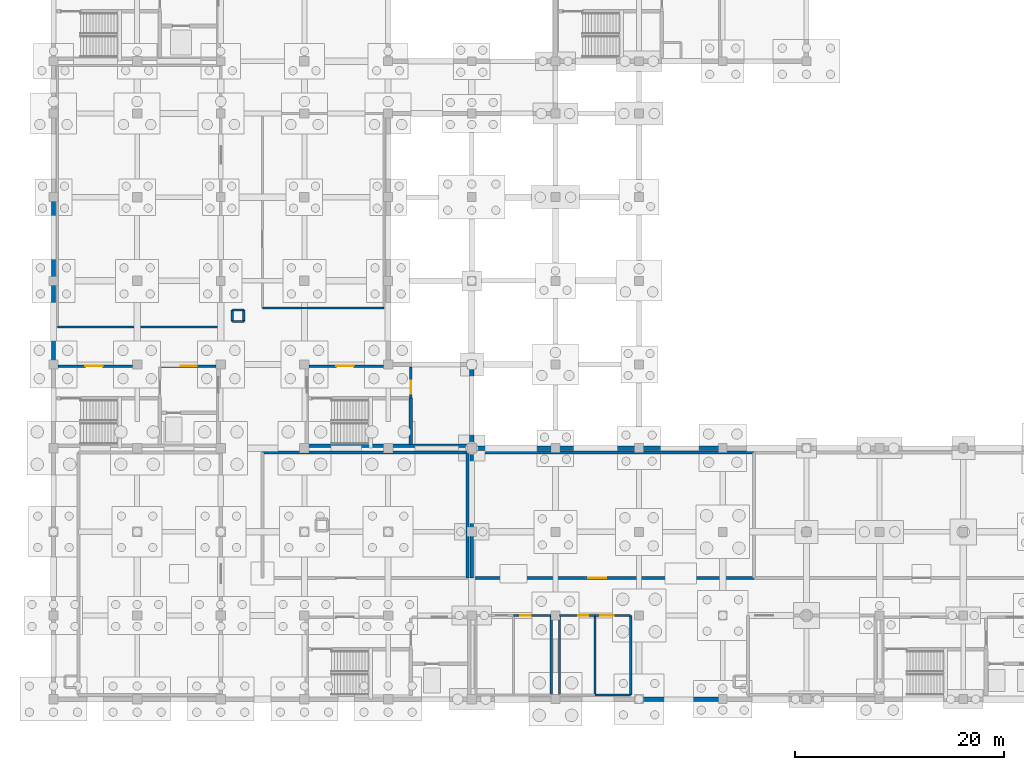
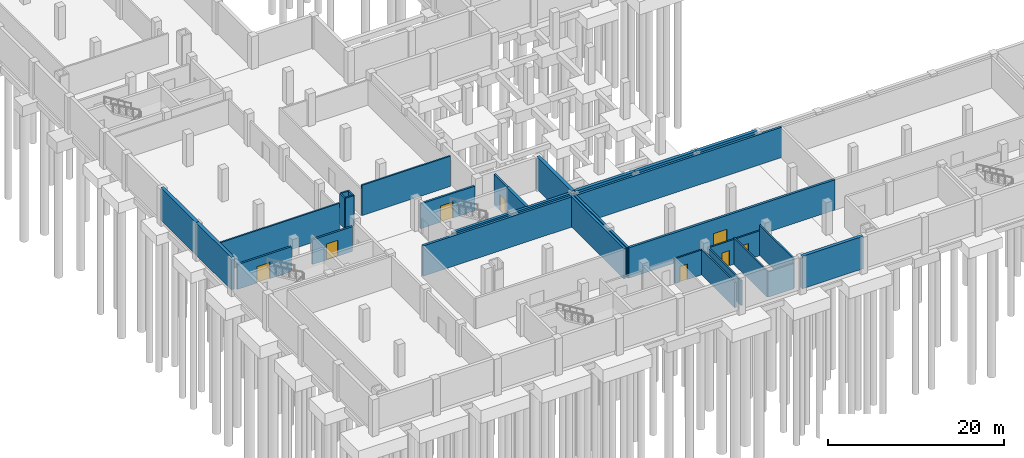
# One storey, part 13 of 26: 32 walls, 8 doors, 8 openings.
"""IFC4 building model written with IfcOpenShell, lengths in metres."""

from ifc_helpers import new_model, si_unit, direction, frame, frame_2d, origin, place, context, subcontext, project, spatial, rectangle, extrude, material, layer, layer_set, type_object, element, fill, save


model = new_model("IFC4")

# Units and contexts
model_context = context("Model", 3, precision=1e-05, world=origin(), true_north=direction((0.0, 1.0)))
body_context = subcontext(model_context, "Body", "Model", "MODEL_VIEW")
ifc_project = project(units=[si_unit("LENGTHUNIT", "METRE"), si_unit("AREAUNIT", "SQUARE_METRE"), si_unit("VOLUMEUNIT", "CUBIC_METRE"), si_unit("PLANEANGLEUNIT", "RADIAN"), si_unit("MASSUNIT", "GRAM", prefix="KILO")], contexts=[model_context])

# Site, building, storey
site_placement = place(None, origin())
site = spatial("IfcSite", under=ifc_project, at=site_placement, CompositionType="ELEMENT")
building_placement = place(site_placement, origin())
building = spatial("IfcBuilding", under=site, at=building_placement, Name="Qorikala Patio Media Centre", CompositionType="ELEMENT")
storey_placement = place(building_placement, frame((0.0, 0.0, -4.5)))
storey = spatial("IfcBuildingStorey", under=building, at=storey_placement, Name="B1", CompositionType="ELEMENT", Elevation=-4.5)

# Walls
ifc_material_1 = material(Name="Concrete C35/45", Category="concrete")
ifc_layer_1 = layer(ifc_material_1, 0.300048828125)
ifc_layer_set_1 = layer_set([ifc_layer_1], Name="Concrete C35/45")
wall_type_1 = type_object("IfcWallType", Name="WL-AC-300", PredefinedType="SHEAR", material=ifc_layer_set_1)
wall_1_placement = place(storey_placement, frame((42.60009765625, 14.60009765625, 0.0), z_axis=(0.0, 0.0, 1.0), x_axis=(0.0, 1.0, 0.0)))
element("IfcWall", 1, at=wall_1_placement, inside=storey, type_object=wall_type_1, Name="B1 Interior Wall WINT-B1-VLT2-E", PredefinedType="SHEAR", context=body_context, shape_type="SweptSolid", body=[
    extrude(rectangle(XDim=12.0, YDim=0.300048828125, at=frame_2d((6.0, 0.0))), origin(), (0.0, 0.0, 1.0), 4.199951171875),
])
wall_2_placement = place(storey_placement, frame((23.0, 26.60009765625, 0.0), z_axis=(0.0, 0.0, 1.0), x_axis=(1.0, 0.0, 0.0)))
element("IfcWall", 2, at=wall_2_placement, inside=storey, type_object=wall_type_1, Name="B1 Interior Wall WINT-B1-VLT2-N", PredefinedType="SHEAR", context=body_context, shape_type="SweptSolid", body=[
    extrude(rectangle(XDim=19.60009765625, YDim=0.300048828125, at=frame_2d((9.800048828125, 0.0))), origin(), (0.0, 0.0, 1.0), 4.199951171875),
])

# Wall, opening, door
wall_3_placement = place(storey_placement, frame((43.0, 14.60009765625, 0.0), z_axis=(0.0, 0.0, 1.0), x_axis=(1.0, 0.0, 0.0)))
wall_3 = element("IfcWall", 3, at=wall_3_placement, inside=storey, type_object=wall_type_1, Name="B1 Interior Wall WINT-B1-VLT3-S", PredefinedType="SHEAR", context=body_context, shape_type="SweptSolid", body=[
    extrude(rectangle(XDim=27.0, YDim=0.300048828125, at=frame_2d((13.5, 0.0))), origin(), (0.0, 0.0, 1.0), 4.199951171875),
])
opening_1_placement = place(wall_3_placement, frame((11.1220703125, 0.0, 0.0)))
opening_1 = element("IfcOpeningElement", 4, at=opening_1_placement, cuts=wall_3, Name="Opening D214", PredefinedType="OPENING", context=body_context, shape_type="SweptSolid", body=[
    extrude(rectangle(XDim=1.75, YDim=2.280029296875, at=frame_2d((0.875, 1.14013671875))), frame((0.0, 0.159912109375, 0.0), z_axis=(0.0, -1.0, 0.0), x_axis=(1.0, 0.0, 0.0)), (0.0, 0.0, 1.0), 0.320068359375),
])
ifc_material_2 = material(Name="Powder-Coated Acoustic Fire Steel", Category="steel")
door_type_1 = type_object("IfcDoorType", Name="DR-FD60-175X228", OperationType="DOUBLE_DOOR_SINGLE_SWING", PredefinedType="DOOR", material=ifc_material_2)
door_1_placement = place(opening_1_placement, origin())
door_1 = element("IfcDoor", 5, at=door_1_placement, inside=storey, type_object=door_type_1, Name="Foley Sound Archive Vault Door 003", OperationType="DOUBLE_DOOR_SINGLE_SWING", OverallHeight=2.280029296875, OverallWidth=1.75, PredefinedType="DOOR", context=body_context, shape_type="SweptSolid", body=[
    extrude(rectangle(XDim=1.75, YDim=2.280029296875, at=frame_2d((0.875, 1.14013671875))), frame((0.0, 0.02490234375, 0.0), z_axis=(0.0, -1.0, 0.0), x_axis=(1.0, 0.0, 0.0)), (0.0, 0.0, 1.0), 0.050048828125),
])
fill(opening_1, door_1)

# Walls
wall_4_placement = place(storey_placement, frame((43.0, 26.60009765625, 0.0), z_axis=(0.0, 0.0, 1.0), x_axis=(1.0, 0.0, 0.0)))
element("IfcWall", 6, at=wall_4_placement, inside=storey, type_object=wall_type_1, Name="B1 Interior Wall WINT-B1-VLT3-N", PredefinedType="SHEAR", context=body_context, shape_type="SweptSolid", body=[
    extrude(rectangle(XDim=27.0, YDim=0.300048828125, at=frame_2d((13.5, 0.0))), origin(), (0.0, 0.0, 1.0), 4.199951171875),
])
wall_5_placement = place(storey_placement, frame((43.0, 14.60009765625, 0.0), z_axis=(0.0, 0.0, 1.0), x_axis=(0.0, 1.0, 0.0)))
element("IfcWall", 7, at=wall_5_placement, inside=storey, type_object=wall_type_1, Name="B1 Interior Wall WINT-B1-VLT3-W", PredefinedType="SHEAR", context=body_context, shape_type="SweptSolid", body=[
    extrude(rectangle(XDim=12.0, YDim=0.300048828125, at=frame_2d((6.0, 0.0))), origin(), (0.0, 0.0, 1.0), 4.199951171875),
])
ifc_layer_2 = layer(ifc_material_1, 0.35009765625)
ifc_layer_set_2 = layer_set([ifc_layer_2], Name="Concrete C35/45")
wall_type_2 = type_object("IfcWallType", Name="WL-CORE-350", PredefinedType="SHEAR", material=ifc_layer_set_2)
wall_6_placement = place(storey_placement, frame((27.199951171875, 27.22509765625, 0.0), z_axis=(0.0, 0.0, 1.0), x_axis=(1.0, 0.0, 0.0)))
element("IfcWall", 8, at=wall_6_placement, inside=storey, type_object=wall_type_2, Name="B1 Core C5 Stair South Wall", PredefinedType="SHEAR", context=body_context, shape_type="SweptSolid", body=[
    extrude(rectangle(XDim=15.60009765625, YDim=0.35009765625, at=frame_2d((7.800048828125, 0.0))), origin(), (0.0, 0.0, 1.0), 4.199951171875),
])
wall_7_placement = place(storey_placement, frame((37.175048828125, 27.35009765625, 0.0), z_axis=(0.0, 0.0, 1.0), x_axis=(0.0, 1.0, 0.0)))
element("IfcWall", 9, at=wall_7_placement, inside=storey, type_object=wall_type_2, Name="B1 Interior Wall CW-B1-C5-SE", PredefinedType="SHEAR", context=body_context, shape_type="SweptSolid", body=[
    extrude(rectangle(XDim=4.4248046875, YDim=0.35009765625, at=frame_2d((2.21240234375, 0.0))), origin(), (0.0, 0.0, 1.0), 4.199951171875),
])

# Wall, opening, door
ifc_layer_3 = layer(ifc_material_1, 0.25)
ifc_layer_set_3 = layer_set([ifc_layer_3], Name="Concrete C35/45")
wall_type_3 = type_object("IfcWallType", Name="WL-FFL-250", PredefinedType="PARTITIONING", material=ifc_layer_set_3)
wall_8_placement = place(storey_placement, frame((3.449951171875, 34.85009765625, 0.0), z_axis=(0.0, 0.0, 1.0), x_axis=(1.0, 0.0, 0.0)))
wall_8 = element("IfcWall", 10, at=wall_8_placement, inside=storey, type_object=wall_type_3, Name="B1 Interior Wall CW-B1-C2-CN1", PredefinedType="PARTITIONING", context=body_context, shape_type="SweptSolid", body=[
    extrude(rectangle(XDim=7.10009765625, YDim=0.25, at=frame_2d((3.550048828125, 0.0))), origin(), (0.0, 0.0, 1.0), 3.43505859375),
])
opening_2_placement = place(wall_8_placement, frame((2.60009765625, 0.0, 0.0)))
opening_2 = element("IfcOpeningElement", 11, at=opening_2_placement, cuts=wall_8, Name="Opening D057", PredefinedType="OPENING", context=body_context, shape_type="SweptSolid", body=[
    extrude(rectangle(XDim=1.64990234375, YDim=2.25, at=frame_2d((0.824951171875, 1.125))), frame((0.0, 0.135009765625, 0.0), z_axis=(0.0, -1.0, 0.0), x_axis=(1.0, 0.0, 0.0)), (0.0, 0.0, 1.0), 0.27001953125),
])
door_type_2 = type_object("IfcDoorType", Name="DR-FD60-165X225", OperationType="DOUBLE_DOOR_SINGLE_SWING", PredefinedType="DOOR", material=ifc_material_2)
door_2_placement = place(opening_2_placement, frame((1.64990234375, 0.0, 0.0), z_axis=(0.0, 0.0, 1.0), x_axis=(-1.0, 0.0, 0.0)))
door_2 = element("IfcDoor", 12, at=door_2_placement, inside=storey, type_object=door_type_2, Name="B1 Core C2 Vestibule Door", OperationType="DOUBLE_DOOR_SINGLE_SWING", OverallHeight=2.25, OverallWidth=1.64990234375, PredefinedType="DOOR", context=body_context, shape_type="SweptSolid", body=[
    extrude(rectangle(XDim=1.64990234375, YDim=2.25, at=frame_2d((0.824951171875, 1.125))), frame((0.0, 0.02490234375, 0.0), z_axis=(0.0, -1.0, 0.0), x_axis=(1.0, 0.0, 0.0)), (0.0, 0.0, 1.0), 0.050048828125),
])
fill(opening_2, door_2)

wall_9_placement = place(storey_placement, frame((13.300048828125, 34.85009765625, 0.0), z_axis=(0.0, 0.0, 1.0), x_axis=(1.0, 0.0, 0.0)))
wall_9 = element("IfcWall", 13, at=wall_9_placement, inside=storey, type_object=wall_type_3, Name="B1 Interior Wall CW-B1-C2-CN2", PredefinedType="PARTITIONING", context=body_context, shape_type="SweptSolid", body=[
    extrude(rectangle(XDim=5.25, YDim=0.25, at=frame_2d((2.625, 0.0))), origin(), (0.0, 0.0, 1.0), 3.43505859375),
])
opening_3_placement = place(wall_9_placement, frame((1.85009765625, 0.0, 0.0)))
opening_3 = element("IfcOpeningElement", 14, at=opening_3_placement, cuts=wall_9, Name="Opening D058", PredefinedType="OPENING", context=body_context, shape_type="SweptSolid", body=[
    extrude(rectangle(XDim=1.5, YDim=2.199951171875, at=frame_2d((0.75, 1.10009765625))), frame((0.0, 0.135009765625, 0.0), z_axis=(0.0, -1.0, 0.0), x_axis=(1.0, 0.0, 0.0)), (0.0, 0.0, 1.0), 0.27001953125),
])
door_type_3 = type_object("IfcDoorType", Name="DR-FD60-150X220", OperationType="DOUBLE_DOOR_SINGLE_SWING", PredefinedType="DOOR", material=ifc_material_2)
door_3_placement = place(opening_3_placement, origin())
door_3 = element("IfcDoor", 15, at=door_3_placement, inside=storey, type_object=door_type_3, Name="B1 Core C2 Firefighting Lobby Door", OperationType="DOUBLE_DOOR_SINGLE_SWING", OverallHeight=2.199951171875, OverallWidth=1.5, PredefinedType="DOOR", context=body_context, shape_type="SweptSolid", body=[
    extrude(rectangle(XDim=1.5, YDim=2.199951171875, at=frame_2d((0.75, 1.10009765625))), frame((0.0, 0.02490234375, 0.0), z_axis=(0.0, -1.0, 0.0), x_axis=(1.0, 0.0, 0.0)), (0.0, 0.0, 1.0), 0.050048828125),
])
fill(opening_3, door_3)

wall_10_placement = place(storey_placement, frame((37.175048828125, 31.77490234375, 0.0), z_axis=(0.0, 0.0, 1.0), x_axis=(0.0, 1.0, 0.0)))
wall_10 = element("IfcWall", 16, at=wall_10_placement, inside=storey, type_object=wall_type_3, Name="B1 Interior Wall CW-B1-C5-LBD", PredefinedType="PARTITIONING", context=body_context, shape_type="SweptSolid", body=[
    extrude(rectangle(XDim=2.97509765625, YDim=0.25, at=frame_2d((1.487548828125, 0.0))), origin(), (0.0, 0.0, 1.0), 4.199951171875),
])
opening_4_placement = place(wall_10_placement, frame((0.449951171875, 0.0, 0.0)))
opening_4 = element("IfcOpeningElement", 17, at=opening_4_placement, cuts=wall_10, Name="Opening D144", PredefinedType="OPENING", context=body_context, shape_type="SweptSolid", body=[
    extrude(rectangle(XDim=1.199951171875, YDim=2.199951171875, at=frame_2d((0.60009765625, 1.10009765625))), frame((0.0, 0.135009765625, 0.0), z_axis=(0.0, -1.0, 0.0), x_axis=(1.0, 0.0, 0.0)), (0.0, 0.0, 1.0), 0.27001953125),
])
ifc_material_3 = material(Name="Acoustic Fire Timber and Steel", Category="steel")
door_type_4 = type_object("IfcDoorType", Name="DR-FD60-120X220", OperationType="NOTDEFINED", PredefinedType="DOOR", material=ifc_material_3)
door_4_placement = place(opening_4_placement, origin())
door_4 = element("IfcDoor", 18, at=door_4_placement, inside=storey, type_object=door_type_4, Name="B1 Core C5 Firefighting Lobby Cross Door", OperationType="SINGLE_SWING_LEFT", OverallHeight=2.199951171875, OverallWidth=1.199951171875, PredefinedType="DOOR", context=body_context, shape_type="SweptSolid", body=[
    extrude(rectangle(XDim=1.199951171875, YDim=2.199951171875, at=frame_2d((0.60009765625, 1.10009765625))), frame((0.0, 0.02490234375, 0.0), z_axis=(0.0, -1.0, 0.0), x_axis=(1.0, 0.0, 0.0)), (0.0, 0.0, 1.0), 0.050048828125),
])
fill(opening_4, door_4)

wall_11_placement = place(storey_placement, frame((27.449951171875, 34.85009765625, 0.0), z_axis=(0.0, 0.0, 1.0), x_axis=(1.0, 0.0, 0.0)))
wall_11 = element("IfcWall", 19, at=wall_11_placement, inside=storey, type_object=wall_type_3, Name="B1 Interior Wall CW-B1-C5-CN1", PredefinedType="PARTITIONING", context=body_context, shape_type="SweptSolid", body=[
    extrude(rectangle(XDim=7.10009765625, YDim=0.25, at=frame_2d((3.550048828125, 0.0))), origin(), (0.0, 0.0, 1.0), 3.43505859375),
])
opening_5_placement = place(wall_11_placement, frame((2.60009765625, 0.0, 0.0)))
opening_5 = element("IfcOpeningElement", 20, at=opening_5_placement, cuts=wall_11, Name="Opening D145", PredefinedType="OPENING", context=body_context, shape_type="SweptSolid", body=[
    extrude(rectangle(XDim=1.64990234375, YDim=2.25, at=frame_2d((0.824951171875, 1.125))), frame((0.0, 0.135009765625, 0.0), z_axis=(0.0, -1.0, 0.0), x_axis=(1.0, 0.0, 0.0)), (0.0, 0.0, 1.0), 0.27001953125),
])
door_5_placement = place(opening_5_placement, frame((1.64990234375, 0.0, 0.0), z_axis=(0.0, 0.0, 1.0), x_axis=(-1.0, 0.0, 0.0)))
door_5 = element("IfcDoor", 21, at=door_5_placement, inside=storey, type_object=door_type_2, Name="B1 Core C5 Vestibule Door", OperationType="DOUBLE_DOOR_SINGLE_SWING", OverallHeight=2.25, OverallWidth=1.64990234375, PredefinedType="DOOR", context=body_context, shape_type="SweptSolid", body=[
    extrude(rectangle(XDim=1.64990234375, YDim=2.25, at=frame_2d((0.824951171875, 1.125))), frame((0.0, 0.02490234375, 0.0), z_axis=(0.0, -1.0, 0.0), x_axis=(1.0, 0.0, 0.0)), (0.0, 0.0, 1.0), 0.050048828125),
])
fill(opening_5, door_5)

# Walls
ifc_material_4 = material(Name="Concrete C30/37", Category="concrete")
ifc_layer_4 = layer(ifc_material_4, 0.419921875)
ifc_layer_set_4 = layer_set([ifc_layer_4], Name="Concrete C30/37")
wall_type_4 = type_object("IfcWallType", Name="WL-RET-420", PredefinedType="USERDEFINED", material=ifc_layer_set_4)
for number, where, z_axis, x_axis, name in (
    (22, (67.0, 3.0, 0.0), (0.0, 0.0, 1.0), (-1.0, 0.0, 0.0), "B1 Perimeter Retaining Wall WL-B1-RET-028"),
    (23, (3.0, 35.0, 0.0), (0.0, 0.0, 1.0), (0.0, 1.0, 0.0), "B1 Perimeter Retaining Wall WL-B1-RET-040"),
    (24, (3.0, 43.0, 0.0), (0.0, 0.0, 1.0), (0.0, 1.0, 0.0), "B1 Perimeter Retaining Wall WL-B1-RET-041"),
    (25, (43.0, 35.0, 0.0), (0.0, 0.0, 1.0), (0.0, -1.0, 0.0), "B1 Perimeter Retaining Wall WL-B1-RET-071"),
    (26, (43.0, 27.0, 0.0), (0.0, 0.0, 1.0), (1.0, 0.0, 0.0), "B1 Perimeter Retaining Wall WL-B1-RET-072"),
    (27, (51.0, 27.0, 0.0), (0.0, 0.0, 1.0), (1.0, 0.0, 0.0), "B1 Perimeter Retaining Wall WL-B1-RET-073"),
    (28, (59.0, 27.0, 0.0), (0.0, 0.0, 1.0), (1.0, 0.0, 0.0), "B1 Perimeter Retaining Wall WL-B1-RET-074"),
):
    element("IfcWall", number, at=place(storey_placement, frame(where, z_axis=z_axis, x_axis=x_axis)), inside=storey, type_object=wall_type_4, Name=name, ObjectType="RETAINING WALL", PredefinedType="USERDEFINED", context=body_context, shape_type="SweptSolid", body=[
        extrude(rectangle(XDim=8.0, YDim=0.419921875, at=frame_2d((4.0, 0.0))), origin(), (0.0, 0.0, 1.0), 4.5),
    ])
ifc_material_5 = material(Name="Acoustic Masonry and Plaster Concrete C30/37", Category="masonry")
ifc_layer_5 = layer(ifc_material_5, 0.199951171875)
ifc_layer_set_5 = layer_set([ifc_layer_5], Name="Acoustic Masonry and Plaster Concrete C30/37")
wall_type_5 = type_object("IfcWallType", Name="WL-ST-200", PredefinedType="PARTITIONING", material=ifc_layer_set_5)
wall_12_placement = place(storey_placement, frame((50.60009765625, 3.39990234375, 0.0), z_axis=(0.0, 0.0, 1.0), x_axis=(0.0, 1.0, 0.0)))
element("IfcWall", 29, at=wall_12_placement, inside=storey, type_object=wall_type_5, Name="B1 Interior Wall WINT-B1-B1WFWC-E", PredefinedType="PARTITIONING", context=body_context, shape_type="SweptSolid", body=[
    extrude(rectangle(XDim=7.60009765625, YDim=0.199951171875, at=frame_2d((3.800048828125, 0.0))), origin(), (0.0, 0.0, 1.0), 3.485107421875),
])

# Wall, opening, door
wall_13_placement = place(storey_placement, frame((47.0, 11.0, 0.0), z_axis=(0.0, 0.0, 1.0), x_axis=(1.0, 0.0, 0.0)))
wall_13 = element("IfcWall", 30, at=wall_13_placement, inside=storey, type_object=wall_type_5, Name="B1 Interior Wall WINT-B1-B1WFWC-N", PredefinedType="PARTITIONING", context=body_context, shape_type="SweptSolid", body=[
    extrude(rectangle(XDim=3.60009765625, YDim=0.199951171875, at=frame_2d((1.800048828125, 0.0))), origin(), (0.0, 0.0, 1.0), 3.43505859375),
])
opening_6_placement = place(wall_13_placement, frame((0.64990234375, 0.0, 0.0)))
opening_6 = element("IfcOpeningElement", 31, at=opening_6_placement, cuts=wall_13, Name="Opening D217", PredefinedType="OPENING", context=body_context, shape_type="SweptSolid", body=[
    extrude(rectangle(XDim=1.0, YDim=2.14990234375, at=frame_2d((0.5, 1.074951171875))), frame((0.0, 0.10986328125, 0.0), z_axis=(0.0, -1.0, 0.0), x_axis=(1.0, 0.0, 0.0)), (0.0, 0.0, 1.0), 0.219970703125),
])
door_type_5 = type_object("IfcDoorType", Name="DR-FD60-100X215", OperationType="NOTDEFINED", PredefinedType="DOOR", material=ifc_material_3)
door_6_placement = place(opening_6_placement, origin())
door_6 = element("IfcDoor", 32, at=door_6_placement, inside=storey, type_object=door_type_5, Name="Female Toilet Door 006", OperationType="SINGLE_SWING_LEFT", OverallHeight=2.14990234375, OverallWidth=1.0, PredefinedType="DOOR", context=body_context, shape_type="SweptSolid", body=[
    extrude(rectangle(XDim=1.0, YDim=2.14990234375, at=frame_2d((0.5, 1.074951171875))), frame((0.0, 0.02490234375, 0.0), z_axis=(0.0, -1.0, 0.0), x_axis=(1.0, 0.0, 0.0)), (0.0, 0.0, 1.0), 0.050048828125),
])
fill(opening_6, door_6)

# Wall
wall_14_placement = place(storey_placement, frame((54.800048828125, 3.39990234375, 0.0), z_axis=(0.0, 0.0, 1.0), x_axis=(0.0, 1.0, 0.0)))
element("IfcWall", 33, at=wall_14_placement, inside=storey, type_object=wall_type_5, Name="B1 Interior Wall WINT-B1-B1WAWC-E", PredefinedType="PARTITIONING", context=body_context, shape_type="SweptSolid", body=[
    extrude(rectangle(XDim=7.60009765625, YDim=0.199951171875, at=frame_2d((3.800048828125, 0.0))), origin(), (0.0, 0.0, 1.0), 3.635009765625),
])

# Wall, opening, door
wall_15_placement = place(storey_placement, frame((51.39990234375, 11.0, 0.0), z_axis=(0.0, 0.0, 1.0), x_axis=(1.0, 0.0, 0.0)))
wall_15 = element("IfcWall", 34, at=wall_15_placement, inside=storey, type_object=wall_type_5, Name="B1 Interior Wall WINT-B1-B1WAWC-N", PredefinedType="PARTITIONING", context=body_context, shape_type="SweptSolid", body=[
    extrude(rectangle(XDim=3.400146484375, YDim=0.199951171875, at=frame_2d((1.7001953125, 0.0))), origin(), (0.0, 0.0, 1.0), 3.43505859375),
])
opening_7_placement = place(wall_15_placement, frame((1.77490234375, 0.0, 0.0)))
opening_7 = element("IfcOpeningElement", 35, at=opening_7_placement, cuts=wall_15, Name="Opening D218", PredefinedType="OPENING", context=body_context, shape_type="SweptSolid", body=[
    extrude(rectangle(XDim=0.949951171875, YDim=2.10009765625, at=frame_2d((0.47509765625, 1.050048828125))), frame((0.0, 0.10986328125, 0.0), z_axis=(0.0, -1.0, 0.0), x_axis=(1.0, 0.0, 0.0)), (0.0, 0.0, 1.0), 0.219970703125),
])
ifc_material_6 = material(Name="Acoustic Fire Timber", Category="wood")
door_type_6 = type_object("IfcDoorType", Name="DR-FD60-095X210", OperationType="NOTDEFINED", PredefinedType="DOOR", material=ifc_material_6)
door_7_placement = place(opening_7_placement, origin())
door_7 = element("IfcDoor", 36, at=door_7_placement, inside=storey, type_object=door_type_6, Name="Accessible Toilet Door 007", OperationType="SINGLE_SWING_RIGHT", OverallHeight=2.10009765625, OverallWidth=0.949951171875, PredefinedType="DOOR", context=body_context, shape_type="SweptSolid", body=[
    extrude(rectangle(XDim=0.949951171875, YDim=2.10009765625, at=frame_2d((0.47509765625, 1.050048828125))), frame((0.0, 0.02490234375, 0.0), z_axis=(0.0, -1.0, 0.0), x_axis=(1.0, 0.0, 0.0)), (0.0, 0.0, 1.0), 0.050048828125),
])
fill(opening_7, door_7)

# Walls
wall_16_placement = place(storey_placement, frame((51.39990234375, 3.39990234375, 0.0), z_axis=(0.0, 0.0, 1.0), x_axis=(0.0, 1.0, 0.0)))
element("IfcWall", 37, at=wall_16_placement, inside=storey, type_object=wall_type_5, Name="B1 Interior Wall WINT-B1-B1WAWC-W", PredefinedType="PARTITIONING", context=body_context, shape_type="SweptSolid", body=[
    extrude(rectangle(XDim=7.60009765625, YDim=0.199951171875, at=frame_2d((3.800048828125, 0.0))), origin(), (0.0, 0.0, 1.0), 3.485107421875),
])
wall_17_placement = place(storey_placement, frame((54.800048828125, 3.39990234375, 0.0), z_axis=(0.0, 0.0, 1.0), x_axis=(1.0, 0.0, 0.0)))
element("IfcWall", 38, at=wall_17_placement, inside=storey, type_object=wall_type_5, Name="B1 Interior Wall WINT-B1-B1WSTR-S", PredefinedType="PARTITIONING", context=body_context, shape_type="SweptSolid", body=[
    extrude(rectangle(XDim=3.39990234375, YDim=0.199951171875, at=frame_2d((1.699951171875, 0.0))), origin(), (0.0, 0.0, 1.0), 3.5048828125),
])
wall_18_placement = place(storey_placement, frame((58.199951171875, 3.39990234375, 0.0), z_axis=(0.0, 0.0, 1.0), x_axis=(0.0, 1.0, 0.0)))
element("IfcWall", 39, at=wall_18_placement, inside=storey, type_object=wall_type_5, Name="B1 Interior Wall WINT-B1-B1WSTR-E", PredefinedType="PARTITIONING", context=body_context, shape_type="SweptSolid", body=[
    extrude(rectangle(XDim=7.60009765625, YDim=0.199951171875, at=frame_2d((3.800048828125, 0.0))), origin(), (0.0, 0.0, 1.0), 4.199951171875),
])

# Wall, opening, door
wall_19_placement = place(storey_placement, frame((54.800048828125, 11.0, 0.0), z_axis=(0.0, 0.0, 1.0), x_axis=(1.0, 0.0, 0.0)))
wall_19 = element("IfcWall", 40, at=wall_19_placement, inside=storey, type_object=wall_type_5, Name="B1 Interior Wall WINT-B1-B1WSTR-N", PredefinedType="PARTITIONING", context=body_context, shape_type="SweptSolid", body=[
    extrude(rectangle(XDim=3.39990234375, YDim=0.199951171875, at=frame_2d((1.699951171875, 0.0))), origin(), (0.0, 0.0, 1.0), 3.43505859375),
])
opening_8_placement = place(wall_19_placement, frame((0.5, 0.0, 0.0)))
opening_8 = element("IfcOpeningElement", 41, at=opening_8_placement, cuts=wall_19, Name="Opening D219", PredefinedType="OPENING", context=body_context, shape_type="SweptSolid", body=[
    extrude(rectangle(XDim=1.300048828125, YDim=2.199951171875, at=frame_2d((0.64990234375, 1.10009765625))), frame((0.0, 0.10986328125, 0.0), z_axis=(0.0, -1.0, 0.0), x_axis=(1.0, 0.0, 0.0)), (0.0, 0.0, 1.0), 0.219970703125),
])
door_type_7 = type_object("IfcDoorType", Name="DR-FD60-130X220", OperationType="NOTDEFINED", PredefinedType="DOOR", material=ifc_material_3)
door_8_placement = place(opening_8_placement, origin())
door_8 = element("IfcDoor", 42, at=door_8_placement, inside=storey, type_object=door_type_7, Name="Technical Equipment Store Door 008", OperationType="SINGLE_SWING_LEFT", OverallHeight=2.199951171875, OverallWidth=1.300048828125, PredefinedType="DOOR", context=body_context, shape_type="SweptSolid", body=[
    extrude(rectangle(XDim=1.300048828125, YDim=2.199951171875, at=frame_2d((0.64990234375, 1.10009765625))), frame((0.0, 0.02490234375, 0.0), z_axis=(0.0, -1.0, 0.0), x_axis=(1.0, 0.0, 0.0)), (0.0, 0.0, 1.0), 0.050048828125),
])
fill(opening_8, door_8)

# Walls
wall_20_placement = place(storey_placement, frame((3.39990234375, 38.60009765625, 0.0), z_axis=(0.0, 0.0, 1.0), x_axis=(1.0, 0.0, 0.0)))
element("IfcWall", 43, at=wall_20_placement, inside=storey, type_object=wall_type_5, Name="B1 Interior Wall WINT-B1-STR1-S", PredefinedType="PARTITIONING", context=body_context, shape_type="SweptSolid", body=[
    extrude(rectangle(XDim=15.60009765625, YDim=0.199951171875, at=frame_2d((7.800048828125, 0.0))), origin(), (0.0, 0.0, 1.0), 4.199951171875),
])
wall_21_placement = place(storey_placement, frame((23.0, 40.39990234375, 0.0), z_axis=(0.0, 0.0, 1.0), x_axis=(1.0, 0.0, 0.0)))
element("IfcWall", 44, at=wall_21_placement, inside=storey, type_object=wall_type_5, Name="B1 Interior Wall WINT-B1-STR2-S", PredefinedType="PARTITIONING", context=body_context, shape_type="SweptSolid", body=[
    extrude(rectangle(XDim=11.60009765625, YDim=0.199951171875, at=frame_2d((5.800048828125, 0.0))), origin(), (0.0, 0.0, 1.0), 4.199951171875),
])
for number, where, z_axis, x_axis, name in (
    (45, (20.10009765625, 39.10009765625, 0.0), (0.0, 0.0, 1.0), (1.0, 0.0, 0.0), "B1 Interior Wall RSW-3-B1-S"),
    (46, (20.10009765625, 40.199951171875, 0.0), (0.0, 0.0, 1.0), (1.0, 0.0, 0.0), "B1 Interior Wall RSW-3-B1-N"),
    (47, (20.10009765625, 39.10009765625, 0.0), (0.0, 0.0, 1.0), (0.0, 1.0, 0.0), "B1 Interior Wall RSW-3-B1-W"),
    (48, (21.199951171875, 39.10009765625, 0.0), (0.0, 0.0, 1.0), (0.0, 1.0, 0.0), "B1 Interior Wall RSW-3-B1-E"),
):
    element("IfcWall", number, at=place(storey_placement, frame(where, z_axis=z_axis, x_axis=x_axis)), inside=storey, type_object=wall_type_5, Name=name, PredefinedType="PARTITIONING", context=body_context, shape_type="SweptSolid", body=[
        extrude(rectangle(XDim=1.099853515625, YDim=0.199951171875, at=frame_2d((0.5498046875, 0.0))), origin(), (0.0, 0.0, 1.0), 4.199951171875),
    ])

save(model, "model.ifc")
